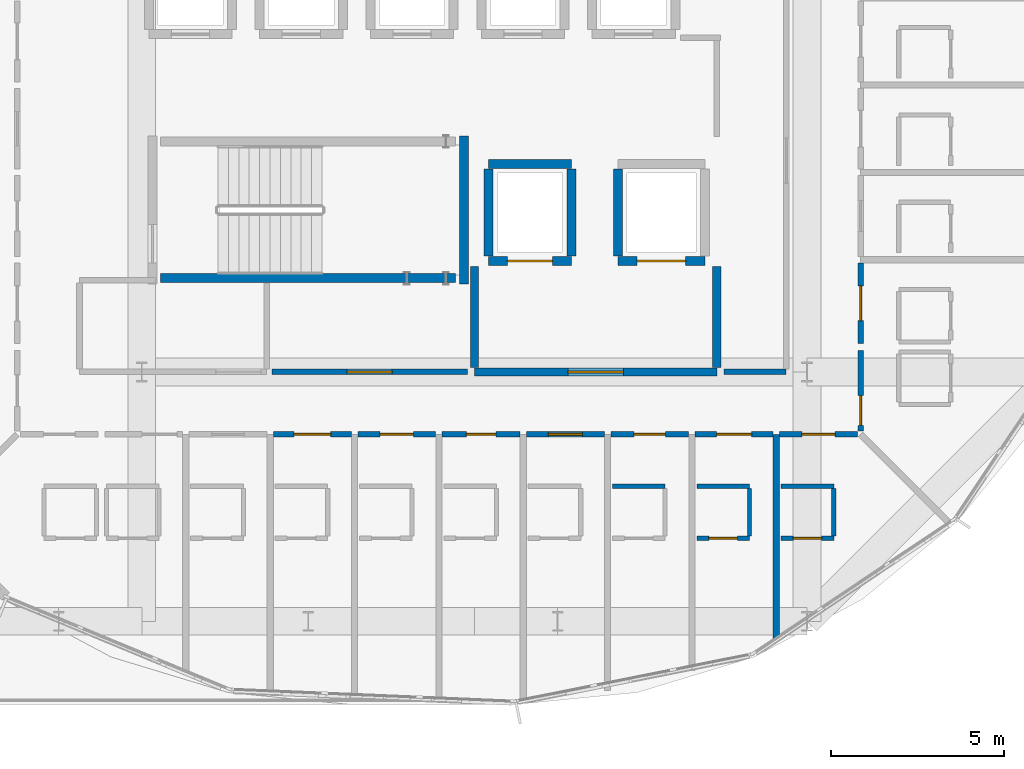
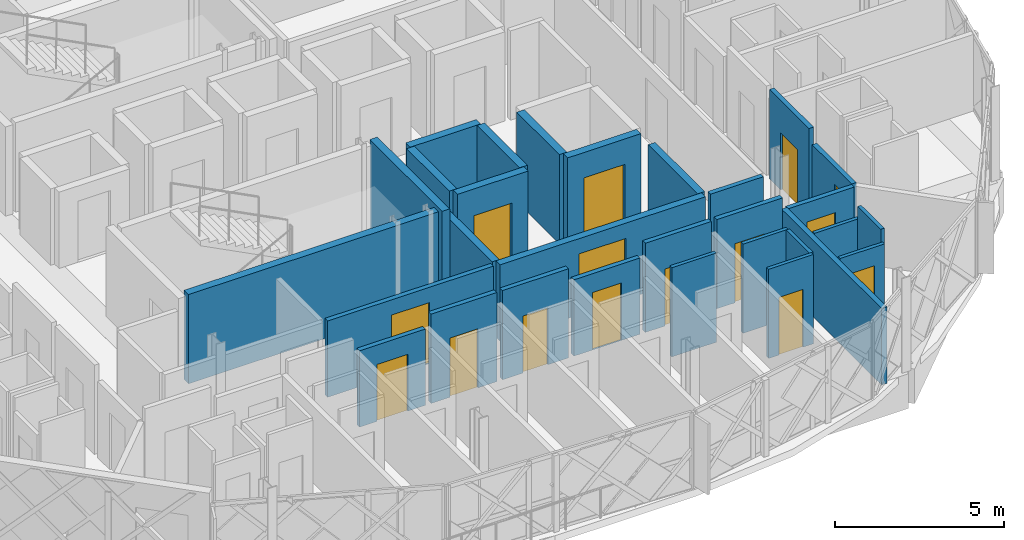
# One storey, part 33 of 53: 30 walls, 15 doors, 15 openings.
"""IFC4 building model written with IfcOpenShell, lengths in metres."""

from ifc_helpers import new_model, si_unit, direction, frame, frame_2d, origin, place, context, subcontext, project, spatial, rectangle, extrude, material, layer, layer_set, type_object, element, fill, save


model = new_model("IFC4")

# Units and contexts
model_context = context("Model", 3, precision=1e-05, world=origin(), true_north=direction((0.0, 1.0)))
body_context = subcontext(model_context, "Body", "Model", "MODEL_VIEW")
ifc_project = project(units=[si_unit("LENGTHUNIT", "METRE"), si_unit("AREAUNIT", "SQUARE_METRE"), si_unit("VOLUMEUNIT", "CUBIC_METRE"), si_unit("PLANEANGLEUNIT", "RADIAN"), si_unit("MASSUNIT", "GRAM", prefix="KILO")], contexts=[model_context])

# Site, building, storey
site_placement = place(None, origin())
site = spatial("IfcSite", under=ifc_project, at=site_placement, CompositionType="ELEMENT")
building_placement = place(site_placement, origin())
building = spatial("IfcBuilding", under=site, at=building_placement, Name="Zevrakil Square Congress Hotel", CompositionType="ELEMENT")
storey_placement = place(building_placement, frame((0.0, 0.0, 14.699951171875)))
storey = spatial("IfcBuildingStorey", under=building, at=storey_placement, Name="L04", CompositionType="ELEMENT", Elevation=14.699951171875)

# Wall, opening, door
ifc_material_1 = material(Name="Concrete C35/45", Category="concrete")
ifc_layer_1 = layer(ifc_material_1, 0.239990234375)
ifc_layer_set_1 = layer_set([ifc_layer_1], Name="Concrete C35/45")
wall_type_1 = type_object("IfcWallType", Name="WAL-COMP-240", PredefinedType="SOLIDWALL", material=ifc_layer_set_1)
wall_1_placement = place(storey_placement, frame((146.39990234375, 16.800048828125, 0.0), z_axis=(0.0, 0.0, 1.0), x_axis=(1.0, 0.0, 0.0)))
wall_1 = element("IfcWall", 1, at=wall_1_placement, inside=storey, type_object=wall_type_1, Name="L04 interior partition PW-L04-0238", PredefinedType="SOLIDWALL", context=body_context, shape_type="SweptSolid", body=[
    extrude(rectangle(XDim=7.0, YDim=0.239990234375, at=frame_2d((3.5, 0.0))), origin(), (0.0, 0.0, 1.0), 2.75),
])
opening_1_placement = place(wall_1_placement, frame((2.699951171875, 0.0, 0.0)))
opening_1 = element("IfcOpeningElement", 2, at=opening_1_placement, cuts=wall_1, Name="Opening FD90-D", PredefinedType="OPENING", context=body_context, shape_type="SweptSolid", body=[
    extrude(rectangle(XDim=1.60009765625, YDim=2.199951171875, at=frame_2d((0.800048828125, 1.10009765625))), frame((0.0, 0.1298828125, 0.0), z_axis=(0.0, -1.0, 0.0), x_axis=(1.0, 0.0, 0.0)), (0.0, 0.0, 1.0), 0.260009765625),
])
ifc_material_2 = material(Name="Steel S355 Double Fire Door", Category="steel")
door_type_1 = type_object("IfcDoorType", Name="DOR-FFLOB-FD90-160", OperationType="NOTDEFINED", PredefinedType="DOOR", material=ifc_material_2)
door_1_placement = place(opening_1_placement, origin())
door_1 = element("IfcDoor", 3, at=door_1_placement, inside=storey, type_object=door_type_1, Name="L04 interior door 102", OperationType="DOUBLE_DOOR_SINGLE_SWING", OverallHeight=2.199951171875, OverallWidth=1.60009765625, PredefinedType="DOOR", context=body_context, shape_type="SweptSolid", body=[
    extrude(rectangle(XDim=1.60009765625, YDim=2.199951171875, at=frame_2d((0.800048828125, 1.10009765625))), frame((0.0, 0.02490234375, 0.0), z_axis=(0.0, -1.0, 0.0), x_axis=(1.0, 0.0, 0.0)), (0.0, 0.0, 1.0), 0.050048828125),
])
fill(opening_1, door_1)

# Walls
for number, where, z_axis, x_axis, name in (
    (4, (146.39990234375, 16.925048828125, 0.0), (0.0, 0.0, 1.0), (0.0, 1.0, 0.0), "L04 interior partition PW-L04-0239"),
    (5, (153.39990234375, 16.925048828125, 0.0), (0.0, 0.0, 1.0), (0.0, 1.0, 0.0), "L04 interior partition PW-L04-0240"),
):
    element("IfcWall", number, at=place(storey_placement, frame(where, z_axis=z_axis, x_axis=x_axis)), inside=storey, type_object=wall_type_1, Name=name, PredefinedType="SOLIDWALL", context=body_context, shape_type="SweptSolid", body=[
        extrude(rectangle(XDim=2.925048828125, YDim=0.239990234375, at=frame_2d((1.46240234375, 0.0))), origin(), (0.0, 0.0, 1.0), 2.75),
    ])

# Wall, opening, door
ifc_material_3 = material(Name="Gypsum Acoustic Stud Partition")
ifc_layer_2 = layer(ifc_material_3, 0.159912109375)
ifc_layer_set_2 = layer_set([ifc_layer_2], Name="Gypsum Acoustic Stud Partition")
wall_type_2 = type_object("IfcWallType", Name="WAL-CORR-160", PredefinedType="PARTITIONING", material=ifc_layer_set_2)
wall_2_placement = place(storey_placement, frame((140.550048828125, 16.800048828125, 0.0), z_axis=(0.0, 0.0, 1.0), x_axis=(1.0, 0.0, 0.0)))
wall_2 = element("IfcWall", 6, at=wall_2_placement, inside=storey, type_object=wall_type_2, Name="L04 interior partition PW-L04-0245", PredefinedType="PARTITIONING", context=body_context, shape_type="SweptSolid", body=[
    extrude(rectangle(XDim=5.64990234375, YDim=0.159912109375, at=frame_2d((2.824951171875, 0.0))), origin(), (0.0, 0.0, 1.0), 2.75),
])
opening_2_placement = place(wall_2_placement, frame((2.175048828125, 0.0, 0.0)))
opening_2 = element("IfcOpeningElement", 7, at=opening_2_placement, cuts=wall_2, Name="Opening ID-08", PredefinedType="OPENING", context=body_context, shape_type="SweptSolid", body=[
    extrude(rectangle(XDim=1.300048828125, YDim=2.199951171875, at=frame_2d((0.64990234375, 1.10009765625))), frame((0.0, 0.08984375, 0.0), z_axis=(0.0, -1.0, 0.0), x_axis=(1.0, 0.0, 0.0)), (0.0, 0.0, 1.0), 0.179931640625),
])
ifc_material_4 = material(Name="Service Corridor Leaf-and-Half Door")
door_type_2 = type_object("IfcDoorType", Name="DOR-BOH-130", OperationType="NOTDEFINED", PredefinedType="DOOR", material=ifc_material_4)
door_2_placement = place(opening_2_placement, origin())
door_2 = element("IfcDoor", 8, at=door_2_placement, inside=storey, type_object=door_type_2, Name="L04 interior door 104", OperationType="SINGLE_SWING_RIGHT", OverallHeight=2.199951171875, OverallWidth=1.300048828125, PredefinedType="DOOR", context=body_context, shape_type="SweptSolid", body=[
    extrude(rectangle(XDim=1.300048828125, YDim=2.199951171875, at=frame_2d((0.64990234375, 1.10009765625))), frame((0.0, 0.02490234375, 0.0), z_axis=(0.0, -1.0, 0.0), x_axis=(1.0, 0.0, 0.0)), (0.0, 0.0, 1.0), 0.050048828125),
])
fill(opening_2, door_2)

# Wall
wall_3_placement = place(storey_placement, frame((153.60009765625, 16.800048828125, 0.0), z_axis=(0.0, 0.0, 1.0), x_axis=(1.0, 0.0, 0.0)))
element("IfcWall", 9, at=wall_3_placement, inside=storey, type_object=wall_type_2, Name="L04 interior partition PW-L04-0254", PredefinedType="PARTITIONING", context=body_context, shape_type="SweptSolid", body=[
    extrude(rectangle(XDim=1.7998046875, YDim=0.159912109375, at=frame_2d((0.89990234375, 0.0))), origin(), (0.0, 0.0, 1.0), 2.75),
])

# Wall, opening, door
wall_4_placement = place(storey_placement, frame((140.60009765625, 15.0, 0.0), z_axis=(0.0, 0.0, 1.0), x_axis=(1.0, 0.0, 0.0)))
wall_4 = element("IfcWall", 10, at=wall_4_placement, inside=storey, type_object=wall_type_2, Name="L04 interior partition PW-L04-0277", PredefinedType="PARTITIONING", context=body_context, shape_type="SweptSolid", body=[
    extrude(rectangle(XDim=2.244873046875, YDim=0.159912109375, at=frame_2d((1.12255859375, 0.0))), origin(), (0.0, 0.0, 1.0), 2.75),
])
opening_3_placement = place(wall_4_placement, frame((0.594970703125, 0.0, 0.0)))
opening_3 = element("IfcOpeningElement", 11, at=opening_3_placement, cuts=wall_4, Name="Opening ID-G09", PredefinedType="OPENING", context=body_context, shape_type="SweptSolid", body=[
    extrude(rectangle(XDim=1.054931640625, YDim=2.050048828125, at=frame_2d((0.52734375, 1.02490234375))), frame((0.0, 0.08984375, 0.0), z_axis=(0.0, -1.0, 0.0), x_axis=(1.0, 0.0, 0.0)), (0.0, 0.0, 1.0), 0.179931640625),
])
ifc_material_5 = material(Name="Acoustic Timber Fire Door", Category="wood")
door_type_3 = type_object("IfcDoorType", Name="DOR-INT-G09", OperationType="NOTDEFINED", PredefinedType="DOOR", material=ifc_material_5)
door_3_placement = place(opening_3_placement, origin())
door_3 = element("IfcDoor", 12, at=door_3_placement, inside=storey, type_object=door_type_3, Name="L04 interior door 115", OperationType="SINGLE_SWING_LEFT", OverallHeight=2.050048828125, OverallWidth=1.054931640625, PredefinedType="DOOR", context=body_context, shape_type="SweptSolid", body=[
    extrude(rectangle(XDim=1.054931640625, YDim=2.050048828125, at=frame_2d((0.52734375, 1.02490234375))), frame((0.0, 0.02490234375, 0.0), z_axis=(0.0, -1.0, 0.0), x_axis=(1.0, 0.0, 0.0)), (0.0, 0.0, 1.0), 0.050048828125),
])
fill(opening_3, door_3)

wall_5_placement = place(storey_placement, frame((143.034912109375, 15.0, 0.0), z_axis=(0.0, 0.0, 1.0), x_axis=(1.0, 0.0, 0.0)))
wall_5 = element("IfcWall", 13, at=wall_5_placement, inside=storey, type_object=wall_type_2, Name="L04 interior partition PW-L04-0282", PredefinedType="PARTITIONING", context=body_context, shape_type="SweptSolid", body=[
    extrude(rectangle(XDim=2.2451171875, YDim=0.159912109375, at=frame_2d((1.12255859375, 0.0))), origin(), (0.0, 0.0, 1.0), 3.215087890625),
])
opening_4_placement = place(wall_5_placement, frame((0.642578125, 0.0, 0.0)))
opening_4 = element("IfcOpeningElement", 14, at=opening_4_placement, cuts=wall_5, Name="Opening ID-H10", PredefinedType="OPENING", context=body_context, shape_type="SweptSolid", body=[
    extrude(rectangle(XDim=0.9599609375, YDim=2.1298828125, at=frame_2d((0.47998046875, 1.06494140625))), frame((0.0, 0.08984375, 0.0), z_axis=(0.0, -1.0, 0.0), x_axis=(1.0, 0.0, 0.0)), (0.0, 0.0, 1.0), 0.179931640625),
])
ifc_material_6 = material(Name="Acoustic Timber Fire Door", Category="wood")
door_type_4 = type_object("IfcDoorType", Name="DOR-INT-H10", OperationType="NOTDEFINED", PredefinedType="DOOR", material=ifc_material_6)
door_4_placement = place(opening_4_placement, origin())
door_4 = element("IfcDoor", 15, at=door_4_placement, inside=storey, type_object=door_type_4, Name="L04 interior door 117", OperationType="SINGLE_SWING_LEFT", OverallHeight=2.1298828125, OverallWidth=0.9599609375, PredefinedType="DOOR", context=body_context, shape_type="SweptSolid", body=[
    extrude(rectangle(XDim=0.9599609375, YDim=2.1298828125, at=frame_2d((0.47998046875, 1.06494140625))), frame((0.0, 0.02490234375, 0.0), z_axis=(0.0, -1.0, 0.0), x_axis=(1.0, 0.0, 0.0)), (0.0, 0.0, 1.0), 0.050048828125),
])
fill(opening_4, door_4)

wall_6_placement = place(storey_placement, frame((145.469970703125, 15.0, 0.0), z_axis=(0.0, 0.0, 1.0), x_axis=(1.0, 0.0, 0.0)))
wall_6 = element("IfcWall", 16, at=wall_6_placement, inside=storey, type_object=wall_type_2, Name="L04 interior partition PW-L04-0287", PredefinedType="PARTITIONING", context=body_context, shape_type="SweptSolid", body=[
    extrude(rectangle(XDim=2.2451171875, YDim=0.159912109375, at=frame_2d((1.12255859375, 0.0))), origin(), (0.0, 0.0, 1.0), 3.215087890625),
])
opening_5_placement = place(wall_6_placement, frame((0.695068359375, 0.0, 0.0)))
opening_5 = element("IfcOpeningElement", 17, at=opening_5_placement, cuts=wall_6, Name="Opening ID-G01", PredefinedType="OPENING", context=body_context, shape_type="SweptSolid", body=[
    extrude(rectangle(XDim=0.85498046875, YDim=2.050048828125, at=frame_2d((0.427490234375, 1.02490234375))), frame((0.0, 0.08984375, 0.0), z_axis=(0.0, -1.0, 0.0), x_axis=(1.0, 0.0, 0.0)), (0.0, 0.0, 1.0), 0.179931640625),
])
ifc_material_7 = material(Name="Acoustic Timber Fire Door", Category="wood")
door_type_5 = type_object("IfcDoorType", Name="DOR-INT-G01", OperationType="NOTDEFINED", PredefinedType="DOOR", material=ifc_material_7)
door_5_placement = place(opening_5_placement, origin())
door_5 = element("IfcDoor", 18, at=door_5_placement, inside=storey, type_object=door_type_5, Name="L04 interior door 119", OperationType="SINGLE_SWING_LEFT", OverallHeight=2.050048828125, OverallWidth=0.85498046875, PredefinedType="DOOR", context=body_context, shape_type="SweptSolid", body=[
    extrude(rectangle(XDim=0.85498046875, YDim=2.050048828125, at=frame_2d((0.427490234375, 1.02490234375))), frame((0.0, 0.02490234375, 0.0), z_axis=(0.0, -1.0, 0.0), x_axis=(1.0, 0.0, 0.0)), (0.0, 0.0, 1.0), 0.050048828125),
])
fill(opening_5, door_5)

wall_7_placement = place(storey_placement, frame((147.905029296875, 15.0, 0.0), z_axis=(0.0, 0.0, 1.0), x_axis=(1.0, 0.0, 0.0)))
wall_7 = element("IfcWall", 19, at=wall_7_placement, inside=storey, type_object=wall_type_2, Name="L04 interior partition PW-L04-0292", PredefinedType="PARTITIONING", context=body_context, shape_type="SweptSolid", body=[
    extrude(rectangle(XDim=2.244873046875, YDim=0.159912109375, at=frame_2d((1.12255859375, 0.0))), origin(), (0.0, 0.0, 1.0), 2.75),
])
opening_6_placement = place(wall_7_placement, frame((0.630615234375, 0.0, 0.0)))
opening_6 = element("IfcOpeningElement", 20, at=opening_6_placement, cuts=wall_7, Name="Opening ID-H12", PredefinedType="OPENING", context=body_context, shape_type="SweptSolid", body=[
    extrude(rectangle(XDim=0.98388671875, YDim=2.070068359375, at=frame_2d((0.491943359375, 1.03515625))), frame((0.0, 0.08984375, 0.0), z_axis=(0.0, -1.0, 0.0), x_axis=(1.0, 0.0, 0.0)), (0.0, 0.0, 1.0), 0.179931640625),
])
ifc_material_8 = material(Name="Acoustic Timber Fire Door", Category="wood")
door_type_6 = type_object("IfcDoorType", Name="DOR-INT-H12", OperationType="NOTDEFINED", PredefinedType="DOOR", material=ifc_material_8)
door_6_placement = place(opening_6_placement, origin())
door_6 = element("IfcDoor", 21, at=door_6_placement, inside=storey, type_object=door_type_6, Name="L04 interior door 121", OperationType="SINGLE_SWING_LEFT", OverallHeight=2.070068359375, OverallWidth=0.98388671875, PredefinedType="DOOR", context=body_context, shape_type="SweptSolid", body=[
    extrude(rectangle(XDim=0.98388671875, YDim=2.070068359375, at=frame_2d((0.491943359375, 1.03515625))), frame((0.0, 0.02490234375, 0.0), z_axis=(0.0, -1.0, 0.0), x_axis=(1.0, 0.0, 0.0)), (0.0, 0.0, 1.0), 0.050048828125),
])
fill(opening_6, door_6)

wall_8_placement = place(storey_placement, frame((150.340087890625, 15.0, 0.0), z_axis=(0.0, 0.0, 1.0), x_axis=(1.0, 0.0, 0.0)))
wall_8 = element("IfcWall", 22, at=wall_8_placement, inside=storey, type_object=wall_type_2, Name="L04 interior partition PW-L04-0297", PredefinedType="PARTITIONING", context=body_context, shape_type="SweptSolid", body=[
    extrude(rectangle(XDim=2.244873046875, YDim=0.159912109375, at=frame_2d((1.12255859375, 0.0))), origin(), (0.0, 0.0, 1.0), 3.215087890625),
])
opening_7_placement = place(wall_8_placement, frame((0.669921875, 0.0, 0.0)))
opening_7 = element("IfcOpeningElement", 23, at=opening_7_placement, cuts=wall_8, Name="Opening ID-G03", PredefinedType="OPENING", context=body_context, shape_type="SweptSolid", body=[
    extrude(rectangle(XDim=0.905029296875, YDim=2.050048828125, at=frame_2d((0.45263671875, 1.02490234375))), frame((0.0, 0.08984375, 0.0), z_axis=(0.0, -1.0, 0.0), x_axis=(1.0, 0.0, 0.0)), (0.0, 0.0, 1.0), 0.179931640625),
])
ifc_material_9 = material(Name="Acoustic Timber Fire Door", Category="wood")
door_type_7 = type_object("IfcDoorType", Name="DOR-INT-G03", OperationType="NOTDEFINED", PredefinedType="DOOR", material=ifc_material_9)
door_7_placement = place(opening_7_placement, origin())
door_7 = element("IfcDoor", 24, at=door_7_placement, inside=storey, type_object=door_type_7, Name="L04 interior door 123", OperationType="SINGLE_SWING_LEFT", OverallHeight=2.050048828125, OverallWidth=0.905029296875, PredefinedType="DOOR", context=body_context, shape_type="SweptSolid", body=[
    extrude(rectangle(XDim=0.905029296875, YDim=2.050048828125, at=frame_2d((0.45263671875, 1.02490234375))), frame((0.0, 0.02490234375, 0.0), z_axis=(0.0, -1.0, 0.0), x_axis=(1.0, 0.0, 0.0)), (0.0, 0.0, 1.0), 0.050048828125),
])
fill(opening_7, door_7)

wall_9_placement = place(storey_placement, frame((152.77490234375, 15.0, 0.0), z_axis=(0.0, 0.0, 1.0), x_axis=(1.0, 0.0, 0.0)))
wall_9 = element("IfcWall", 25, at=wall_9_placement, inside=storey, type_object=wall_type_2, Name="L04 interior partition PW-L04-0302", PredefinedType="PARTITIONING", context=body_context, shape_type="SweptSolid", body=[
    extrude(rectangle(XDim=2.2451171875, YDim=0.159912109375, at=frame_2d((1.12255859375, 0.0))), origin(), (0.0, 0.0, 1.0), 3.215087890625),
])
opening_8_placement = place(wall_9_placement, frame((0.618408203125, 0.0, 0.0)))
opening_8 = element("IfcOpeningElement", 26, at=opening_8_placement, cuts=wall_9, Name="Opening ID-H14", PredefinedType="OPENING", context=body_context, shape_type="SweptSolid", body=[
    extrude(rectangle(XDim=1.008056640625, YDim=2.1298828125, at=frame_2d((0.50390625, 1.06494140625))), frame((0.0, 0.08984375, 0.0), z_axis=(0.0, -1.0, 0.0), x_axis=(1.0, 0.0, 0.0)), (0.0, 0.0, 1.0), 0.179931640625),
])
ifc_material_10 = material(Name="Acoustic Timber Fire Door", Category="wood")
door_type_8 = type_object("IfcDoorType", Name="DOR-INT-H14", OperationType="NOTDEFINED", PredefinedType="DOOR", material=ifc_material_10)
door_8_placement = place(opening_8_placement, origin())
door_8 = element("IfcDoor", 27, at=door_8_placement, inside=storey, type_object=door_type_8, Name="L04 interior door 125", OperationType="SINGLE_SWING_LEFT", OverallHeight=2.1298828125, OverallWidth=1.008056640625, PredefinedType="DOOR", context=body_context, shape_type="SweptSolid", body=[
    extrude(rectangle(XDim=1.008056640625, YDim=2.1298828125, at=frame_2d((0.50390625, 1.06494140625))), frame((0.0, 0.02490234375, 0.0), z_axis=(0.0, -1.0, 0.0), x_axis=(1.0, 0.0, 0.0)), (0.0, 0.0, 1.0), 0.050048828125),
])
fill(opening_8, door_8)

wall_10_placement = place(storey_placement, frame((155.2099609375, 15.0, 0.0), z_axis=(0.0, 0.0, 1.0), x_axis=(1.0, 0.0, 0.0)))
wall_10 = element("IfcWall", 28, at=wall_10_placement, inside=storey, type_object=wall_type_2, Name="L04 interior partition PW-L04-0307", PredefinedType="PARTITIONING", context=body_context, shape_type="SweptSolid", body=[
    extrude(rectangle(XDim=2.2451171875, YDim=0.159912109375, at=frame_2d((1.12255859375, 0.0))), origin(), (0.0, 0.0, 1.0), 2.75),
])
opening_9_placement = place(wall_10_placement, frame((0.64501953125, 0.0, 0.0)))
opening_9 = element("IfcOpeningElement", 29, at=opening_9_placement, cuts=wall_10, Name="Opening ID-G05", PredefinedType="OPENING", context=body_context, shape_type="SweptSolid", body=[
    extrude(rectangle(XDim=0.955078125, YDim=2.050048828125, at=frame_2d((0.4775390625, 1.02490234375))), frame((0.0, 0.08984375, 0.0), z_axis=(0.0, -1.0, 0.0), x_axis=(1.0, 0.0, 0.0)), (0.0, 0.0, 1.0), 0.179931640625),
])
ifc_material_11 = material(Name="Acoustic Timber Fire Door", Category="wood")
door_type_9 = type_object("IfcDoorType", Name="DOR-INT-G05", OperationType="NOTDEFINED", PredefinedType="DOOR", material=ifc_material_11)
door_9_placement = place(opening_9_placement, origin())
door_9 = element("IfcDoor", 30, at=door_9_placement, inside=storey, type_object=door_type_9, Name="L04 interior door 127", OperationType="SINGLE_SWING_LEFT", OverallHeight=2.050048828125, OverallWidth=0.955078125, PredefinedType="DOOR", context=body_context, shape_type="SweptSolid", body=[
    extrude(rectangle(XDim=0.955078125, YDim=2.050048828125, at=frame_2d((0.4775390625, 1.02490234375))), frame((0.0, 0.02490234375, 0.0), z_axis=(0.0, -1.0, 0.0), x_axis=(1.0, 0.0, 0.0)), (0.0, 0.0, 1.0), 0.050048828125),
])
fill(opening_9, door_9)

wall_11_placement = place(storey_placement, frame((157.550048828125, 15.094970703125, 0.0), z_axis=(0.0, 0.0, 1.0), x_axis=(0.0, 1.0, 0.0)))
wall_11 = element("IfcWall", 31, at=wall_11_placement, inside=storey, type_object=wall_type_2, Name="L04 interior partition PW-L04-0312", PredefinedType="PARTITIONING", context=body_context, shape_type="SweptSolid", body=[
    extrude(rectangle(XDim=2.330078125, YDim=0.159912109375, at=frame_2d((1.1650390625, 0.0))), origin(), (0.0, 0.0, 1.0), 2.75),
])
opening_10_placement = place(wall_11_placement, frame((0.159912109375, 0.0, 0.0)))
opening_10 = element("IfcOpeningElement", 32, at=opening_10_placement, cuts=wall_11, Name="Opening ID-H02", PredefinedType="OPENING", context=body_context, shape_type="SweptSolid", body=[
    extrude(rectangle(XDim=0.864013671875, YDim=2.1298828125, at=frame_2d((0.43212890625, 1.06494140625))), frame((0.0, 0.08984375, 0.0), z_axis=(0.0, -1.0, 0.0), x_axis=(1.0, 0.0, 0.0)), (0.0, 0.0, 1.0), 0.179931640625),
])
ifc_material_12 = material(Name="Acoustic Timber Fire Door", Category="wood")
door_type_10 = type_object("IfcDoorType", Name="DOR-INT-H02", OperationType="NOTDEFINED", PredefinedType="DOOR", material=ifc_material_12)
door_10_placement = place(opening_10_placement, origin())
door_10 = element("IfcDoor", 33, at=door_10_placement, inside=storey, type_object=door_type_10, Name="L04 interior door 129", OperationType="SINGLE_SWING_LEFT", OverallHeight=2.1298828125, OverallWidth=0.864013671875, PredefinedType="DOOR", context=body_context, shape_type="SweptSolid", body=[
    extrude(rectangle(XDim=0.864013671875, YDim=2.1298828125, at=frame_2d((0.43212890625, 1.06494140625))), frame((0.0, 0.02490234375, 0.0), z_axis=(0.0, -1.0, 0.0), x_axis=(1.0, 0.0, 0.0)), (0.0, 0.0, 1.0), 0.050048828125),
])
fill(opening_10, door_10)

wall_12_placement = place(storey_placement, frame((157.550048828125, 17.614990234375, 0.0), z_axis=(0.0, 0.0, 1.0), x_axis=(0.0, 1.0, 0.0)))
wall_12 = element("IfcWall", 34, at=wall_12_placement, inside=storey, type_object=wall_type_2, Name="L04 interior partition PW-L04-0317", PredefinedType="PARTITIONING", context=body_context, shape_type="SweptSolid", body=[
    extrude(rectangle(XDim=2.330078125, YDim=0.159912109375, at=frame_2d((1.1650390625, 0.0))), origin(), (0.0, 0.0, 1.0), 3.215087890625),
])
opening_11_placement = place(wall_12_placement, frame((0.66259765625, 0.0, 0.0)))
opening_11 = element("IfcOpeningElement", 35, at=opening_11_placement, cuts=wall_12, Name="Opening ID-G07", PredefinedType="OPENING", context=body_context, shape_type="SweptSolid", body=[
    extrude(rectangle(XDim=1.0048828125, YDim=2.050048828125, at=frame_2d((0.50244140625, 1.02490234375))), frame((0.0, 0.08984375, 0.0), z_axis=(0.0, -1.0, 0.0), x_axis=(1.0, 0.0, 0.0)), (0.0, 0.0, 1.0), 0.179931640625),
])
ifc_material_13 = material(Name="Acoustic Timber Fire Door", Category="wood")
door_type_11 = type_object("IfcDoorType", Name="DOR-INT-G07", OperationType="NOTDEFINED", PredefinedType="DOOR", material=ifc_material_13)
door_11_placement = place(opening_11_placement, origin())
door_11 = element("IfcDoor", 36, at=door_11_placement, inside=storey, type_object=door_type_11, Name="L04 interior door 131", OperationType="SINGLE_SWING_LEFT", OverallHeight=2.050048828125, OverallWidth=1.0048828125, PredefinedType="DOOR", context=body_context, shape_type="SweptSolid", body=[
    extrude(rectangle(XDim=1.0048828125, YDim=2.050048828125, at=frame_2d((0.50244140625, 1.02490234375))), frame((0.0, 0.02490234375, 0.0), z_axis=(0.0, -1.0, 0.0), x_axis=(1.0, 0.0, 0.0)), (0.0, 0.0, 1.0), 0.050048828125),
])
fill(opening_11, door_11)

# Wall
ifc_material_14 = material(Name="Moisture-Resistant Gypsum Partition")
ifc_layer_3 = layer(ifc_material_14, 0.1201171875)
ifc_layer_set_3 = layer_set([ifc_layer_3], Name="Moisture-Resistant Gypsum Partition")
wall_type_3 = type_object("IfcWallType", Name="WAL-ENS-120", PredefinedType="PARTITIONING", material=ifc_layer_set_3)
wall_13_placement = place(storey_placement, frame((150.385009765625, 13.5, 0.0), z_axis=(0.0, 0.0, 1.0), x_axis=(1.0, 0.0, 0.0)))
element("IfcWall", 37, at=wall_13_placement, inside=storey, type_object=wall_type_3, Name="L04 interior partition PW-L04-0299", PredefinedType="PARTITIONING", context=body_context, shape_type="SweptSolid", body=[
    extrude(rectangle(XDim=1.52001953125, YDim=0.1201171875, at=frame_2d((0.760009765625, 0.0))), origin(), (0.0, 0.0, 1.0), 3.215087890625),
])

# Wall, opening, door
wall_14_placement = place(storey_placement, frame((152.820068359375, 12.0, 0.0), z_axis=(0.0, 0.0, 1.0), x_axis=(1.0, 0.0, 0.0)))
wall_14 = element("IfcWall", 38, at=wall_14_placement, inside=storey, type_object=wall_type_3, Name="L04 interior partition PW-L04-0303", PredefinedType="PARTITIONING", context=body_context, shape_type="SweptSolid", body=[
    extrude(rectangle(XDim=1.52001953125, YDim=0.1201171875, at=frame_2d((0.760009765625, 0.0))), origin(), (0.0, 0.0, 1.0), 3.215087890625),
])
opening_12_placement = place(wall_14_placement, frame((0.35009765625, 0.0, 0.0)))
opening_12 = element("IfcOpeningElement", 39, at=opening_12_placement, cuts=wall_14, Name="Opening ID-11", PredefinedType="OPENING", context=body_context, shape_type="SweptSolid", body=[
    extrude(rectangle(XDim=0.820068359375, YDim=2.080078125, at=frame_2d((0.41015625, 1.0400390625))), frame((0.0, 0.070068359375, 0.0), z_axis=(0.0, -1.0, 0.0), x_axis=(1.0, 0.0, 0.0)), (0.0, 0.0, 1.0), 0.14013671875),
])
ifc_material_15 = material(Name="Acoustic Timber Door", Category="wood")
door_type_12 = type_object("IfcDoorType", Name="DOR-INT-V01", OperationType="NOTDEFINED", PredefinedType="DOOR", material=ifc_material_15)
door_12_placement = place(opening_12_placement, origin())
door_12 = element("IfcDoor", 40, at=door_12_placement, inside=storey, type_object=door_type_12, Name="L04 interior door 126", OperationType="SINGLE_SWING_RIGHT", OverallHeight=2.080078125, OverallWidth=0.820068359375, PredefinedType="DOOR", context=body_context, shape_type="SweptSolid", body=[
    extrude(rectangle(XDim=0.820068359375, YDim=2.080078125, at=frame_2d((0.41015625, 1.0400390625))), frame((0.0, 0.02490234375, 0.0), z_axis=(0.0, -1.0, 0.0), x_axis=(1.0, 0.0, 0.0)), (0.0, 0.0, 1.0), 0.050048828125),
])
fill(opening_12, door_12)

# Walls
wall_15_placement = place(storey_placement, frame((152.820068359375, 13.5, 0.0), z_axis=(0.0, 0.0, 1.0), x_axis=(1.0, 0.0, 0.0)))
element("IfcWall", 41, at=wall_15_placement, inside=storey, type_object=wall_type_3, Name="L04 interior partition PW-L04-0304", PredefinedType="PARTITIONING", context=body_context, shape_type="SweptSolid", body=[
    extrude(rectangle(XDim=1.52001953125, YDim=0.1201171875, at=frame_2d((0.760009765625, 0.0))), origin(), (0.0, 0.0, 1.0), 3.215087890625),
])
wall_16_placement = place(storey_placement, frame((154.340087890625, 12.06494140625, 0.0), z_axis=(0.0, 0.0, 1.0), x_axis=(0.0, 1.0, 0.0)))
element("IfcWall", 42, at=wall_16_placement, inside=storey, type_object=wall_type_3, Name="L04 interior partition PW-L04-0305", PredefinedType="PARTITIONING", context=body_context, shape_type="SweptSolid", body=[
    extrude(rectangle(XDim=1.3701171875, YDim=0.1201171875, at=frame_2d((0.68505859375, 0.0))), origin(), (0.0, 0.0, 1.0), 3.215087890625),
])

# Wall, opening, door
wall_17_placement = place(storey_placement, frame((155.2548828125, 12.0, 0.0), z_axis=(0.0, 0.0, 1.0), x_axis=(1.0, 0.0, 0.0)))
wall_17 = element("IfcWall", 43, at=wall_17_placement, inside=storey, type_object=wall_type_3, Name="L04 interior partition PW-L04-0308", PredefinedType="PARTITIONING", context=body_context, shape_type="SweptSolid", body=[
    extrude(rectangle(XDim=1.52001953125, YDim=0.1201171875, at=frame_2d((0.760009765625, 0.0))), origin(), (0.0, 0.0, 1.0), 2.75),
])
opening_13_placement = place(wall_17_placement, frame((0.35009765625, 0.0, 0.0)))
opening_13 = element("IfcOpeningElement", 44, at=opening_13_placement, cuts=wall_17, Name="Opening ID-11", PredefinedType="OPENING", context=body_context, shape_type="SweptSolid", body=[
    extrude(rectangle(XDim=0.820068359375, YDim=2.080078125, at=frame_2d((0.41015625, 1.0400390625))), frame((0.0, 0.070068359375, 0.0), z_axis=(0.0, -1.0, 0.0), x_axis=(1.0, 0.0, 0.0)), (0.0, 0.0, 1.0), 0.14013671875),
])
door_13_placement = place(opening_13_placement, origin())
door_13 = element("IfcDoor", 45, at=door_13_placement, inside=storey, type_object=door_type_12, Name="L04 interior door 128", OperationType="SINGLE_SWING_RIGHT", OverallHeight=2.080078125, OverallWidth=0.820068359375, PredefinedType="DOOR", context=body_context, shape_type="SweptSolid", body=[
    extrude(rectangle(XDim=0.820068359375, YDim=2.080078125, at=frame_2d((0.41015625, 1.0400390625))), frame((0.0, 0.02490234375, 0.0), z_axis=(0.0, -1.0, 0.0), x_axis=(1.0, 0.0, 0.0)), (0.0, 0.0, 1.0), 0.050048828125),
])
fill(opening_13, door_13)

# Walls
wall_18_placement = place(storey_placement, frame((155.2548828125, 13.5, 0.0), z_axis=(0.0, 0.0, 1.0), x_axis=(1.0, 0.0, 0.0)))
element("IfcWall", 46, at=wall_18_placement, inside=storey, type_object=wall_type_3, Name="L04 interior partition PW-L04-0309", PredefinedType="PARTITIONING", context=body_context, shape_type="SweptSolid", body=[
    extrude(rectangle(XDim=1.52001953125, YDim=0.1201171875, at=frame_2d((0.760009765625, 0.0))), origin(), (0.0, 0.0, 1.0), 2.75),
])
wall_19_placement = place(storey_placement, frame((156.77490234375, 12.06494140625, 0.0), z_axis=(0.0, 0.0, 1.0), x_axis=(0.0, 1.0, 0.0)))
element("IfcWall", 47, at=wall_19_placement, inside=storey, type_object=wall_type_3, Name="L04 interior partition PW-L04-0310", PredefinedType="PARTITIONING", context=body_context, shape_type="SweptSolid", body=[
    extrude(rectangle(XDim=1.3701171875, YDim=0.1201171875, at=frame_2d((0.68505859375, 0.0))), origin(), (0.0, 0.0, 1.0), 3.215087890625),
])
ifc_material_16 = material(Name="Gypsum Twin-Stud Party Partition")
ifc_layer_4 = layer(ifc_material_16, 0.179931640625)
ifc_layer_set_4 = layer_set([ifc_layer_4], Name="Gypsum Twin-Stud Party Partition")
wall_type_4 = type_object("IfcWallType", Name="WAL-PARTY-180", PredefinedType="PARTITIONING", material=ifc_layer_set_4)
wall_20_placement = place(storey_placement, frame((155.114990234375, 9.091552734375, 0.0), z_axis=(0.0, 0.0, 1.0), x_axis=(0.0, 1.0, 0.0)))
element("IfcWall", 48, at=wall_20_placement, inside=storey, type_object=wall_type_4, Name="L04 interior partition PW-L04-0306", PredefinedType="PARTITIONING", context=body_context, shape_type="SweptSolid", body=[
    extrude(rectangle(XDim=5.908447265625, YDim=0.179931640625, at=frame_2d((2.9541015625, 0.0))), origin(), (0.0, 0.0, 1.0), 2.760009765625),
])
ifc_material_17 = material(Name="Concrete C40/50", Category="concrete")
ifc_layer_5 = layer(ifc_material_17, 0.260009765625)
ifc_layer_set_5 = layer_set([ifc_layer_5], Name="Concrete C40/50")
wall_type_5 = type_object("IfcWallType", Name="WAL-SHAFT-260", PredefinedType="SHEAR", material=ifc_layer_set_5)
wall_21_placement = place(storey_placement, frame((146.094970703125, 19.340087890625, 0.0), z_axis=(0.0, 0.0, 1.0), x_axis=(0.0, 1.0, 0.0)))
element("IfcWall", 49, at=wall_21_placement, inside=storey, type_object=wall_type_5, Name="L04 ST01 stair shaft E wall", PredefinedType="SHEAR", context=body_context, shape_type="SweptSolid", body=[
    extrude(rectangle(XDim=4.27001953125, YDim=0.260009765625, at=frame_2d((2.135009765625, 0.0))), origin(), (0.0, 0.0, 1.0), 3.215087890625),
])
wall_22_placement = place(storey_placement, frame((137.340087890625, 19.5048828125, 0.0), z_axis=(0.0, 0.0, 1.0), x_axis=(1.0, 0.0, 0.0)))
element("IfcWall", 50, at=wall_22_placement, inside=storey, type_object=wall_type_5, Name="L04 ST01 stair shaft S wall", PredefinedType="SHEAR", context=body_context, shape_type="SweptSolid", body=[
    extrude(rectangle(XDim=8.52001953125, YDim=0.260009765625, at=frame_2d((4.260009765625, 0.0))), origin(), (0.0, 0.0, 1.0), 3.215087890625),
])

# Wall, opening, door
wall_23_placement = place(storey_placement, frame((146.800048828125, 20.0, 0.0), z_axis=(0.0, 0.0, 1.0), x_axis=(1.0, 0.0, 0.0)))
wall_23 = element("IfcWall", 51, at=wall_23_placement, inside=storey, type_object=wall_type_5, Name="L04 FFL1 lift shaft wall", PredefinedType="SHEAR", context=body_context, shape_type="SweptSolid", body=[
    extrude(rectangle(XDim=2.39990234375, YDim=0.260009765625, at=frame_2d((1.199951171875, 0.0))), origin(), (0.0, 0.0, 1.0), 3.215087890625),
])
opening_14_placement = place(wall_23_placement, frame((0.550048828125, 0.0, 0.0)))
opening_14 = element("IfcOpeningElement", 52, at=opening_14_placement, cuts=wall_23, Name="Opening LD-FFL1", PredefinedType="OPENING", context=body_context, shape_type="SweptSolid", body=[
    extrude(rectangle(XDim=1.300048828125, YDim=2.25, at=frame_2d((0.64990234375, 1.125))), frame((0.0, 0.14013671875, 0.0), z_axis=(0.0, -1.0, 0.0), x_axis=(1.0, 0.0, 0.0)), (0.0, 0.0, 1.0), 0.280029296875),
])
ifc_material_18 = material(Name="Stretcher Firefighting Sliding Landing Door")
door_type_13 = type_object("IfcDoorType", Name="DOR-LIFT-LD130", OperationType="NOTDEFINED", PredefinedType="DOOR", material=ifc_material_18)
door_14_placement = place(opening_14_placement, origin())
door_14 = element("IfcDoor", 53, at=door_14_placement, inside=storey, type_object=door_type_13, Name="L04 FFL1 sliding lift landing door", OperationType="SLIDING_TO_RIGHT", OverallHeight=2.25, OverallWidth=1.300048828125, PredefinedType="DOOR", context=body_context, shape_type="SweptSolid", body=[
    extrude(rectangle(XDim=1.300048828125, YDim=2.25, at=frame_2d((0.64990234375, 1.125))), frame((0.0, 0.02490234375, 0.0), z_axis=(0.0, -1.0, 0.0), x_axis=(1.0, 0.0, 0.0)), (0.0, 0.0, 1.0), 0.050048828125),
])
fill(opening_14, door_14)

# Walls
wall_24_placement = place(storey_placement, frame((146.800048828125, 22.800048828125, 0.0), z_axis=(0.0, 0.0, 1.0), x_axis=(1.0, 0.0, 0.0)))
element("IfcWall", 54, at=wall_24_placement, inside=storey, type_object=wall_type_5, Name="L04 FFL1 lift shaft wall", PredefinedType="SHEAR", context=body_context, shape_type="SweptSolid", body=[
    extrude(rectangle(XDim=2.39990234375, YDim=0.260009765625, at=frame_2d((1.199951171875, 0.0))), origin(), (0.0, 0.0, 1.0), 3.215087890625),
])
for number, where, z_axis, x_axis, name in (
    (55, (146.800048828125, 20.139892578125, 0.0), (0.0, 0.0, 1.0), (0.0, 1.0, 0.0), "L04 FFL1 lift shaft wall"),
    (56, (149.199951171875, 20.139892578125, 0.0), (0.0, 0.0, 1.0), (0.0, 1.0, 0.0), "L04 FFL1 lift shaft wall"),
):
    element("IfcWall", number, at=place(storey_placement, frame(where, z_axis=z_axis, x_axis=x_axis)), inside=storey, type_object=wall_type_5, Name=name, PredefinedType="SHEAR", context=body_context, shape_type="SweptSolid", body=[
        extrude(rectangle(XDim=2.52001953125, YDim=0.260009765625, at=frame_2d((1.260009765625, 0.0))), origin(), (0.0, 0.0, 1.0), 3.215087890625),
    ])

# Wall, opening, door
wall_25_placement = place(storey_placement, frame((150.550048828125, 20.0, 0.0), z_axis=(0.0, 0.0, 1.0), x_axis=(1.0, 0.0, 0.0)))
wall_25 = element("IfcWall", 57, at=wall_25_placement, inside=storey, type_object=wall_type_5, Name="L04 SL1 lift shaft wall", PredefinedType="SHEAR", context=body_context, shape_type="SweptSolid", body=[
    extrude(rectangle(XDim=2.5, YDim=0.260009765625, at=frame_2d((1.25, 0.0))), origin(), (0.0, 0.0, 1.0), 3.215087890625),
])
opening_15_placement = place(wall_25_placement, frame((0.550048828125, 0.0, 0.0)))
opening_15 = element("IfcOpeningElement", 58, at=opening_15_placement, cuts=wall_25, Name="Opening LD-SL1", PredefinedType="OPENING", context=body_context, shape_type="SweptSolid", body=[
    extrude(rectangle(XDim=1.39990234375, YDim=2.300048828125, at=frame_2d((0.699951171875, 1.14990234375))), frame((0.0, 0.14013671875, 0.0), z_axis=(0.0, -1.0, 0.0), x_axis=(1.0, 0.0, 0.0)), (0.0, 0.0, 1.0), 0.280029296875),
])
ifc_material_19 = material(Name="Goods Service Sliding Landing Door")
door_type_14 = type_object("IfcDoorType", Name="DOR-LIFT-LD140", OperationType="NOTDEFINED", PredefinedType="DOOR", material=ifc_material_19)
door_15_placement = place(opening_15_placement, origin())
door_15 = element("IfcDoor", 59, at=door_15_placement, inside=storey, type_object=door_type_14, Name="L04 SL1 sliding lift landing door", OperationType="SLIDING_TO_LEFT", OverallHeight=2.300048828125, OverallWidth=1.39990234375, PredefinedType="DOOR", context=body_context, shape_type="SweptSolid", body=[
    extrude(rectangle(XDim=1.39990234375, YDim=2.300048828125, at=frame_2d((0.699951171875, 1.14990234375))), frame((0.0, 0.02490234375, 0.0), z_axis=(0.0, -1.0, 0.0), x_axis=(1.0, 0.0, 0.0)), (0.0, 0.0, 1.0), 0.050048828125),
])
fill(opening_15, door_15)

# Wall
wall_26_placement = place(storey_placement, frame((150.550048828125, 20.139892578125, 0.0), z_axis=(0.0, 0.0, 1.0), x_axis=(0.0, 1.0, 0.0)))
element("IfcWall", 60, at=wall_26_placement, inside=storey, type_object=wall_type_5, Name="L04 SL1 lift shaft wall", PredefinedType="SHEAR", context=body_context, shape_type="SweptSolid", body=[
    extrude(rectangle(XDim=2.52001953125, YDim=0.260009765625, at=frame_2d((1.260009765625, 0.0))), origin(), (0.0, 0.0, 1.0), 3.215087890625),
])

save(model, "model.ifc")
